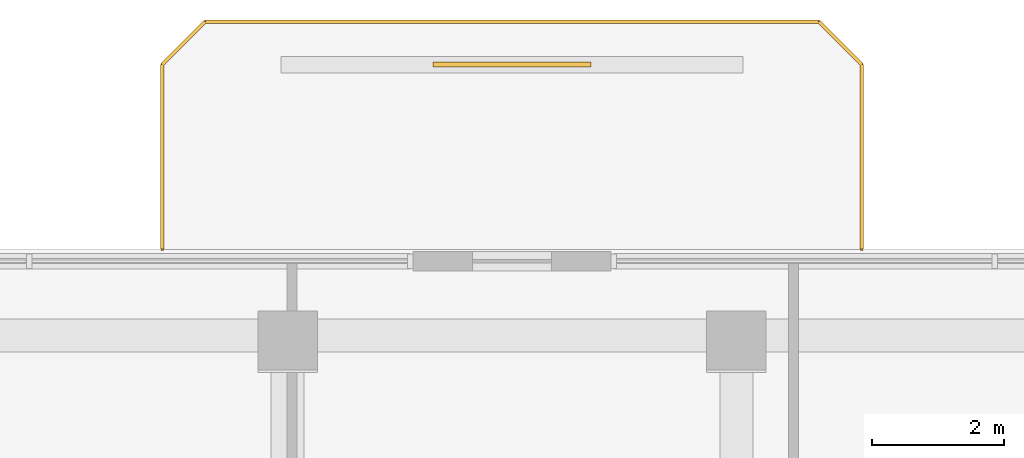
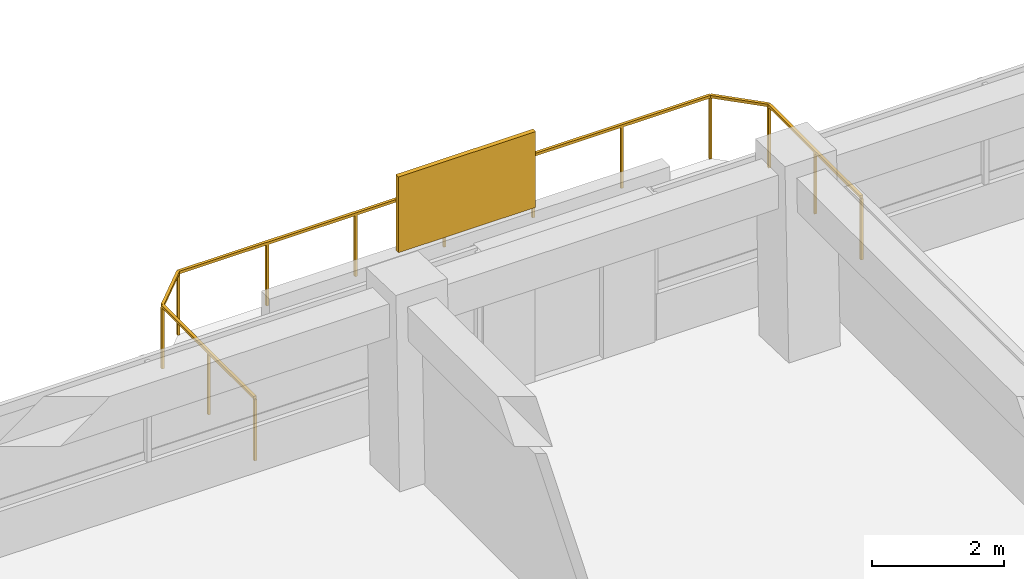
# One storey, part 13 of 13: 1 railing, 1 shading device.
"""IFC4 building model written with IfcOpenShell, lengths in metres."""

import ifcopenshell
import ifcopenshell.guid

model = None  # the IFC model being written
_history = None  # IfcOwnerHistory: only IFC2X3 demands one
_inside = {}  # id of a spatial element -> (the spatial element, [elements in it])
_under = {}  # id of a project, library or spatial element -> (it, [spatial elements below it])
_declared = {}  # id of a project -> (the project, [libraries it declares])
_typed = {}  # id of a type object -> (the type object, [elements of that type])
_made_of = {}  # id of a material, layer set ... -> (it, [elements and type objects made of it])


def new_model(schema):
    """Start an empty IFC model of exactly this schema.

    Asked for "IFC4X3", IfcOpenShell would pick the latest addendum, in which some entities
    have other attributes; the version numbers below select the first issue.
    IFC2X3 requires an IfcOwnerHistory on every rooted entity: one is made here for all.
    """
    global model, _history
    if schema == "IFC4X3":
        model = ifcopenshell.file(schema_version=(4, 3, 0, 0))
    else:
        model = ifcopenshell.file(schema=schema)
    _inside.clear()
    _under.clear()
    _declared.clear()
    _typed.clear()
    _made_of.clear()
    _history = None
    if model.schema == "IFC2X3":
        org = make("IfcOrganization", Name="unknown")
        user = make(
            "IfcPersonAndOrganization",
            ThePerson=make("IfcPerson", FamilyName="unknown"),
            TheOrganization=org,
        )
        app = make(
            "IfcApplication",
            ApplicationDeveloper=org,
            Version="unknown",
            ApplicationFullName="unknown",
            ApplicationIdentifier="unknown",
        )
        _history = make(
            "IfcOwnerHistory",
            OwningUser=user,
            OwningApplication=app,
            ChangeAction="ADDED",
            CreationDate=0,
        )
    return model


def make(cls, **values):
    """One entity of the class cls with the attributes given. An attribute that is None is left unset."""
    return model.create_entity(
        cls, **{name: value for name, value in values.items() if value is not None}
    )


def rooted(cls, **values):
    """An entity with a GlobalId (a new one), such as an element, a storey or a relation."""
    return make(cls, GlobalId=ifcopenshell.guid.new(), OwnerHistory=_history, **values)


def si_unit(unit_type, name, prefix=None):
    """IfcSIUnit, for example si_unit("LENGTHUNIT", "METRE", prefix="MILLI")."""
    return make("IfcSIUnit", UnitType=unit_type, Prefix=prefix, Name=name)


def derived_unit(unit_type, elements):
    """IfcDerivedUnit: a product of units, each with its exponent."""
    return make(
        "IfcDerivedUnit",
        Elements=[
            make("IfcDerivedUnitElement", Unit=unit, Exponent=power)
            for unit, power in elements
        ],
        UnitType=unit_type,
    )


def assignment(units):
    """IfcUnitAssignment: the units of a project."""
    return None if units is None else make("IfcUnitAssignment", Units=units)


def point(xyz):
    """IfcCartesianPoint."""
    return None if xyz is None else make("IfcCartesianPoint", Coordinates=xyz)


def direction(xyz):
    """IfcDirection."""
    return None if xyz is None else make("IfcDirection", DirectionRatios=xyz)


def frame(location, z_axis=None, x_axis=None):
    """IfcAxis2Placement3D, a coordinate frame: its origin and axes. An axis left out is left unset."""
    return make(
        "IfcAxis2Placement3D",
        Location=point(location),
        Axis=direction(z_axis),
        RefDirection=direction(x_axis),
    )


def frame_2d(location, x_axis=None):
    """IfcAxis2Placement2D, a coordinate frame in the plane: its origin and x axis."""
    return make(
        "IfcAxis2Placement2D", Location=point(location), RefDirection=direction(x_axis)
    )


def origin():
    """The frame at (0, 0, 0) with its axes left unset."""
    return frame((0.0, 0.0, 0.0))


def origin_2d():
    """The frame at (0, 0) in the plane with its x axis left unset."""
    return frame_2d((0.0, 0.0))


def place(relative_to, where):
    """IfcLocalPlacement: puts the frame where relative to a parent placement (None: the world)."""
    return make(
        "IfcLocalPlacement", PlacementRelTo=relative_to, RelativePlacement=where
    )


def context(
    kind, dimensions, precision=None, world=None, true_north=None, identifier=None
):
    """IfcGeometricRepresentationContext, for example the 3D "Model" context."""
    return make(
        "IfcGeometricRepresentationContext",
        ContextIdentifier=identifier,
        ContextType=kind,
        CoordinateSpaceDimension=dimensions,
        Precision=precision,
        WorldCoordinateSystem=world,
        TrueNorth=true_north,
    )


def subcontext(parent, identifier, kind, view, scale=None):
    """IfcGeometricRepresentationSubContext, for example "Body" below "Model"."""
    return make(
        "IfcGeometricRepresentationSubContext",
        ContextIdentifier=identifier,
        ContextType=kind,
        ParentContext=parent,
        TargetScale=scale,
        TargetView=view,
    )


def project(units=None, contexts=None):
    """IfcProject with its units and contexts."""
    return rooted(
        "IfcProject",
        Name="project",
        RepresentationContexts=contexts,
        UnitsInContext=assignment(units),
    )


def spatial(cls, under=None, at=None, **own):
    """A site, building, storey or space (cls), placed at a placement, below another one or the project."""
    s = rooted(cls, ObjectPlacement=at, **own)
    if under is not None:
        _under.setdefault(under.id(), (under, []))[1].append(s)
    return s


def profile(cls, at=None, kind="AREA", **sizes):
    """A parametric profile (cls). Its sizes go by their IFC names, for example OverallWidth=200.0."""
    return make(cls, ProfileType=kind, Position=at, **sizes)


def rectangle(**sizes):
    """IfcRectangleProfileDef."""
    return profile("IfcRectangleProfileDef", **sizes)


def extrude(swept, where, along, depth):
    """IfcExtrudedAreaSolid: the profile swept, set in the frame where, extruded along a direction by depth."""
    return make(
        "IfcExtrudedAreaSolid",
        SweptArea=swept,
        Position=where,
        ExtrudedDirection=direction(along),
        Depth=depth,
    )


def shape(context_of_items, identifier, shape_type, items):
    """IfcShapeRepresentation: the items that make up one representation, for example the "Body"."""
    return make(
        "IfcShapeRepresentation",
        ContextOfItems=context_of_items,
        RepresentationIdentifier=identifier,
        RepresentationType=shape_type,
        Items=items,
    )


def material(Name=None, Category=None):
    """IfcMaterial."""
    return make("IfcMaterial", Name=Name, Category=Category)


def layer(
    of_material, thickness, ventilated=None, Name=None, Category=None, Priority=None
):
    """IfcMaterialLayer: one layer of a wall or slab, of a material (None: an air gap)."""
    return make(
        "IfcMaterialLayer",
        Material=of_material,
        LayerThickness=thickness,
        IsVentilated=ventilated,
        Name=Name,
        Category=Category,
        Priority=Priority,
    )


def layer_set(layers, Name=None):
    """IfcMaterialLayerSet."""
    return make("IfcMaterialLayerSet", MaterialLayers=layers, LayerSetName=Name)


def made_of(thing, what):
    """Note that an element or type object is made of a material, layer set ...; save() writes the relation."""
    if what is not None:
        _made_of.setdefault(what.id(), (what, []))[1].append(thing)
    return thing


def type_object(cls, material=None, **own):
    """A type object (cls), such as IfcWallType, which elements share."""
    return made_of(rooted(cls, **own), material)


def element(
    cls,
    number,
    at=None,
    inside=None,
    cuts=None,
    type_object=None,
    material=None,
    context=None,
    identifier="Body",
    shape_type=None,
    held_by="IfcProductDefinitionShape",
    body=None,
    shapes=None,
    **own,
):
    """One element of the class cls, such as IfcWall. Its Tag is "e" and its number.

    at: its placement. inside: the storey or other place that contains it. cuts: it is an
    opening in that element (IfcRelVoidsElement). A single representation is given by context,
    identifier, shape_type and body (its items); several are given by shapes. held_by: the class
    of the entity that holds the representations. save() writes the other relations.
    """
    e = rooted(cls, Tag="e%d" % number, ObjectPlacement=at, **own)
    if body is not None:
        shapes = [shape(context, identifier, shape_type, body)]
    if shapes is not None:
        e.Representation = make(held_by, Representations=shapes)
    if inside is not None:
        _inside.setdefault(inside.id(), (inside, []))[1].append(e)
    if cuts is not None:
        rooted(
            "IfcRelVoidsElement", RelatingBuildingElement=cuts, RelatedOpeningElement=e
        )
    if type_object is not None:
        _typed.setdefault(type_object.id(), (type_object, []))[1].append(e)
    return made_of(e, material)


def aggregate(whole, parts):
    """IfcRelAggregates: a whole, such as a stair, and the parts it consists of."""
    return rooted("IfcRelAggregates", RelatingObject=whole, RelatedObjects=parts)


def save(model, path):
    """Write the relations noted so far, then the file.

    IfcRelAggregates (storeys below a building ...), IfcRelContainedInSpatialStructure (elements
    in a storey), IfcRelDefinesByType, IfcRelAssociatesMaterial and IfcRelDeclares: one each for
    every whole, place, type object, material and project.
    """
    for whole, parts in _under.values():
        aggregate(whole, parts)
    for where, things in _inside.values():
        rooted(
            "IfcRelContainedInSpatialStructure",
            RelatedElements=things,
            RelatingStructure=where,
        )
    for kind, things in _typed.values():
        rooted("IfcRelDefinesByType", RelatedObjects=things, RelatingType=kind)
    for what, things in _made_of.values():
        rooted("IfcRelAssociatesMaterial", RelatedObjects=things, RelatingMaterial=what)
    for by, libraries in _declared.values():
        rooted("IfcRelDeclares", RelatingContext=by, RelatedDefinitions=libraries)
    model.write(path)


model = new_model("IFC4")

# Units and contexts
model_context = context("Model", 3, precision=1e-05, world=origin(), true_north=direction((0.0, 1.0)))
body_context = subcontext(model_context, "Body", "Model", "MODEL_VIEW")
ifc_project = project(units=[si_unit("LENGTHUNIT", "METRE"), si_unit("AREAUNIT", "SQUARE_METRE"), si_unit("VOLUMEUNIT", "CUBIC_METRE"), si_unit("PLANEANGLEUNIT", "RADIAN"), si_unit("MASSUNIT", "GRAM", prefix="KILO"), derived_unit("THERMALTRANSMITTANCEUNIT", [(si_unit("POWERUNIT", "WATT"), 1), (si_unit("LENGTHUNIT", "METRE"), -2), (si_unit("THERMODYNAMICTEMPERATUREUNIT", "KELVIN"), -1)])], contexts=[model_context])

# Site, building, storey
site_placement = place(None, origin())
site = spatial("IfcSite", under=ifc_project, at=site_placement, CompositionType="ELEMENT")
building_placement = place(site_placement, origin())
building = spatial("IfcBuilding", under=site, at=building_placement, Name="Koralith Skygarden Medical Center", CompositionType="ELEMENT")
storey_placement = place(building_placement, frame((0.0, 0.0, 196.3798828125)))
storey = spatial("IfcBuildingStorey", under=building, at=storey_placement, Name="L50", CompositionType="ELEMENT", Elevation=196.3798828125)

# Railing
ifc_material_1 = material(Name="Steel ASTM A500 Grade C", Category="steel")
railing_type = type_object("IfcRailingType", Name="Outdoor Terrace & Balcony Safety Guardrail 1180", PredefinedType="GUARDRAIL", material=ifc_material_1)
railing_placement = place(storey_placement, frame((42.300048828125, 47.889892578125, 0.0)))
element("IfcRailing", 1, at=railing_placement, inside=storey, type_object=railing_type, Name="L50 N Balcony Perimeter Guardrail", PredefinedType="GUARDRAIL", context=body_context, shape_type="SweptSolid", body=[
    extrude(rectangle(XDim=0.050048828125, YDim=0.050048828125, at=origin_2d()), frame((0.0, 0.001953125, 1.15478515625), z_axis=(0.0, 1.0, 0.0), x_axis=(-1.0, 0.0, 0.0)), (0.0, 0.0, 1.0), 2.796142578125),
    extrude(rectangle(XDim=0.050048828125, YDim=0.050048828125, at=origin_2d()), frame((-0.00146484375, 2.801513671875, 1.15478515625), z_axis=(-0.707106781187, 0.707106781187, 0.0), x_axis=(-0.707106781187, -0.707106781187, 0.0)), (0.0, 0.0, 1.0), 0.91552734375),
    extrude(rectangle(XDim=0.050048828125, YDim=0.050048828125, at=origin_2d()), frame((-0.652099609375, 3.4501953125, 1.15478515625), z_axis=(-1.0, 0.0, 0.0), x_axis=(0.0, -1.0, 0.0)), (0.0, 0.0, 1.0), 9.2958984375),
    extrude(rectangle(XDim=0.050048828125, YDim=0.050048828125, at=origin_2d()), frame((-9.951416015625, 3.44873046875, 1.15478515625), z_axis=(-0.707106781187, -0.707106781187, 0.0), x_axis=(0.707106781187, -0.707106781187, 0.0)), (0.0, 0.0, 1.0), 0.91552734375),
    extrude(rectangle(XDim=0.050048828125, YDim=0.050048828125, at=origin_2d()), frame((-10.60009765625, 2.798095703125, 1.15478515625), z_axis=(0.0, -1.0, 0.0), x_axis=(1.0, 0.0, 0.0)), (0.0, 0.0, 1.0), 2.796142578125),
    extrude(rectangle(XDim=0.0419921875, YDim=0.0419921875, at=origin_2d()), origin(), (0.0, 0.0, 1.0), 1.1279296875),
    extrude(rectangle(XDim=0.0419921875, YDim=0.0419921875, at=origin_2d()), frame((0.0, 1.39990234375, 0.0)), (0.0, 0.0, 1.0), 1.1279296875),
    extrude(rectangle(XDim=0.0419921875, YDim=0.0419921875, at=origin_2d()), frame((0.0, 2.800048828125, 0.0)), (0.0, 0.0, 1.0), 1.1279296875),
    extrude(rectangle(XDim=0.0419921875, YDim=0.0419921875, at=origin_2d()), frame((-0.650146484375, 3.4501953125, 0.0)), (0.0, 0.0, 1.0), 1.1279296875),
    extrude(rectangle(XDim=0.0419921875, YDim=0.0419921875, at=origin_2d()), frame((-2.2001953125, 3.4501953125, 0.0)), (0.0, 0.0, 1.0), 1.1279296875),
    extrude(rectangle(XDim=0.0419921875, YDim=0.0419921875, at=origin_2d()), frame((-3.75, 3.4501953125, 0.0)), (0.0, 0.0, 1.0), 1.1279296875),
    extrude(rectangle(XDim=0.0419921875, YDim=0.0419921875, at=origin_2d()), frame((-5.300048828125, 3.4501953125, 0.0)), (0.0, 0.0, 1.0), 1.1279296875),
    extrude(rectangle(XDim=0.0419921875, YDim=0.0419921875, at=origin_2d()), frame((-6.85009765625, 3.4501953125, 0.0)), (0.0, 0.0, 1.0), 1.1279296875),
    extrude(rectangle(XDim=0.0419921875, YDim=0.0419921875, at=origin_2d()), frame((-8.39990234375, 3.4501953125, 0.0)), (0.0, 0.0, 1.0), 1.1279296875),
    extrude(rectangle(XDim=0.0419921875, YDim=0.0419921875, at=origin_2d()), frame((-9.949951171875, 3.4501953125, 0.0)), (0.0, 0.0, 1.0), 1.1279296875),
    extrude(rectangle(XDim=0.0419921875, YDim=0.0419921875, at=origin_2d()), frame((-10.60009765625, 2.800048828125, 0.0)), (0.0, 0.0, 1.0), 1.1279296875),
    extrude(rectangle(XDim=0.0419921875, YDim=0.0419921875, at=origin_2d()), frame((-10.60009765625, 1.39990234375, 0.0)), (0.0, 0.0, 1.0), 1.1279296875),
    extrude(rectangle(XDim=0.0419921875, YDim=0.0419921875, at=origin_2d()), frame((-10.60009765625, 0.0, 0.0)), (0.0, 0.0, 1.0), 1.1279296875),
])

# Shading device
ifc_material_2 = material(Name="Aluminium 6063-T6", Category="aluminium")
ifc_layer = layer(ifc_material_2, 0.080078125)
ifc_layer_set = layer_set([ifc_layer], Name="Aluminium 6063-T6")
shading_device_type = type_object("IfcShadingDeviceType", Name="Perforated Biophilic Balcony Trellis Screen", PredefinedType="USERDEFINED", material=ifc_layer_set)
shading_device_placement = place(storey_placement, frame((37.0, 50.68994140625, 0.72021484375), z_axis=(0.0, 0.0, 1.0), x_axis=(1.0, 0.0, 0.0)))
element("IfcShadingDevice", 2, at=shading_device_placement, inside=storey, type_object=shading_device_type, Name="L50 N Biophilic Balcony Trellis Screen", ObjectType="HURRICANE SCREEN", PredefinedType="USERDEFINED", context=body_context, shape_type="SweptSolid", body=[
    extrude(rectangle(XDim=2.39990234375, YDim=0.080078125, at=origin_2d()), origin(), (0.0, 0.0, 1.0), 1.39990234375),
])

save(model, "model.ifc")
